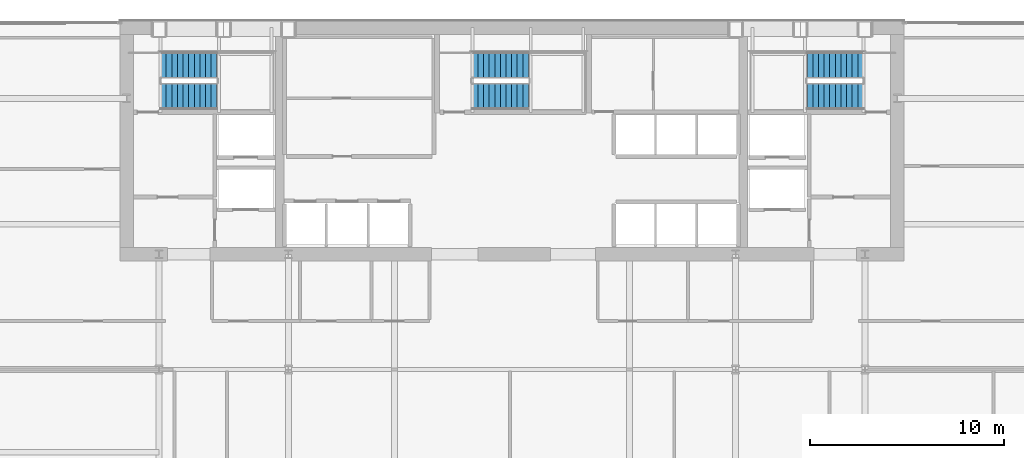
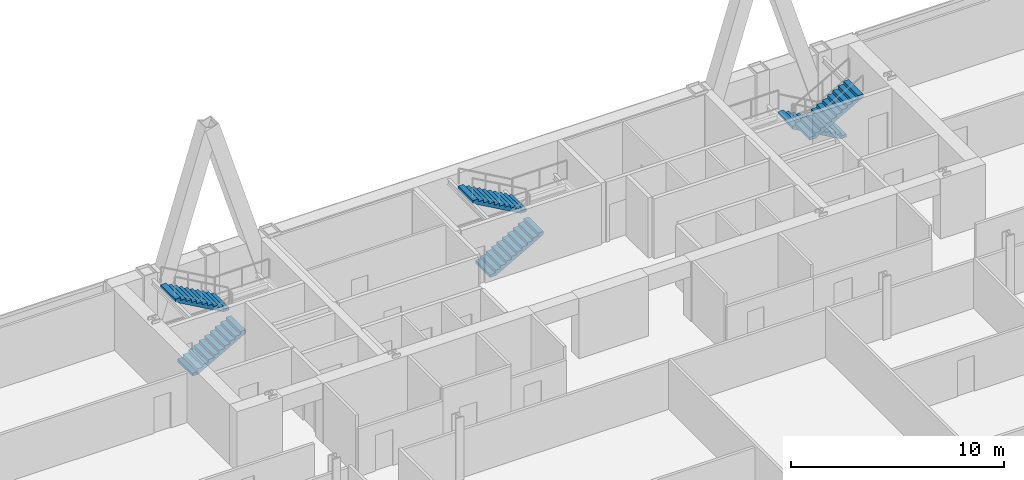
# One storey, part 30 of 33: 6 stair flights, 3 elements without a shape of their own.
"""IFC4 building model written with IfcOpenShell, lengths in metres."""

import ifcopenshell
import ifcopenshell.guid

model = None  # the IFC model being written
_history = None  # IfcOwnerHistory: only IFC2X3 demands one
_inside = {}  # id of a spatial element -> (the spatial element, [elements in it])
_under = {}  # id of a project, library or spatial element -> (it, [spatial elements below it])
_declared = {}  # id of a project -> (the project, [libraries it declares])
_typed = {}  # id of a type object -> (the type object, [elements of that type])
_made_of = {}  # id of a material, layer set ... -> (it, [elements and type objects made of it])


def new_model(schema):
    """Start an empty IFC model of exactly this schema.

    Asked for "IFC4X3", IfcOpenShell would pick the latest addendum, in which some entities
    have other attributes; the version numbers below select the first issue.
    IFC2X3 requires an IfcOwnerHistory on every rooted entity: one is made here for all.
    """
    global model, _history
    if schema == "IFC4X3":
        model = ifcopenshell.file(schema_version=(4, 3, 0, 0))
    else:
        model = ifcopenshell.file(schema=schema)
    _inside.clear()
    _under.clear()
    _declared.clear()
    _typed.clear()
    _made_of.clear()
    _history = None
    if model.schema == "IFC2X3":
        org = make("IfcOrganization", Name="unknown")
        user = make(
            "IfcPersonAndOrganization",
            ThePerson=make("IfcPerson", FamilyName="unknown"),
            TheOrganization=org,
        )
        app = make(
            "IfcApplication",
            ApplicationDeveloper=org,
            Version="unknown",
            ApplicationFullName="unknown",
            ApplicationIdentifier="unknown",
        )
        _history = make(
            "IfcOwnerHistory",
            OwningUser=user,
            OwningApplication=app,
            ChangeAction="ADDED",
            CreationDate=0,
        )
    return model


def make(cls, **values):
    """One entity of the class cls with the attributes given. An attribute that is None is left unset."""
    return model.create_entity(
        cls, **{name: value for name, value in values.items() if value is not None}
    )


def rooted(cls, **values):
    """An entity with a GlobalId (a new one), such as an element, a storey or a relation."""
    return make(cls, GlobalId=ifcopenshell.guid.new(), OwnerHistory=_history, **values)


def si_unit(unit_type, name, prefix=None):
    """IfcSIUnit, for example si_unit("LENGTHUNIT", "METRE", prefix="MILLI")."""
    return make("IfcSIUnit", UnitType=unit_type, Prefix=prefix, Name=name)


def assignment(units):
    """IfcUnitAssignment: the units of a project."""
    return None if units is None else make("IfcUnitAssignment", Units=units)


def point(xyz):
    """IfcCartesianPoint."""
    return None if xyz is None else make("IfcCartesianPoint", Coordinates=xyz)


def direction(xyz):
    """IfcDirection."""
    return None if xyz is None else make("IfcDirection", DirectionRatios=xyz)


def frame(location, z_axis=None, x_axis=None):
    """IfcAxis2Placement3D, a coordinate frame: its origin and axes. An axis left out is left unset."""
    return make(
        "IfcAxis2Placement3D",
        Location=point(location),
        Axis=direction(z_axis),
        RefDirection=direction(x_axis),
    )


def origin():
    """The frame at (0, 0, 0) with its axes left unset."""
    return frame((0.0, 0.0, 0.0))


def place(relative_to, where):
    """IfcLocalPlacement: puts the frame where relative to a parent placement (None: the world)."""
    return make(
        "IfcLocalPlacement", PlacementRelTo=relative_to, RelativePlacement=where
    )


def context(
    kind, dimensions, precision=None, world=None, true_north=None, identifier=None
):
    """IfcGeometricRepresentationContext, for example the 3D "Model" context."""
    return make(
        "IfcGeometricRepresentationContext",
        ContextIdentifier=identifier,
        ContextType=kind,
        CoordinateSpaceDimension=dimensions,
        Precision=precision,
        WorldCoordinateSystem=world,
        TrueNorth=true_north,
    )


def subcontext(parent, identifier, kind, view, scale=None):
    """IfcGeometricRepresentationSubContext, for example "Body" below "Model"."""
    return make(
        "IfcGeometricRepresentationSubContext",
        ContextIdentifier=identifier,
        ContextType=kind,
        ParentContext=parent,
        TargetScale=scale,
        TargetView=view,
    )


def project(units=None, contexts=None):
    """IfcProject with its units and contexts."""
    return rooted(
        "IfcProject",
        Name="project",
        RepresentationContexts=contexts,
        UnitsInContext=assignment(units),
    )


def spatial(cls, under=None, at=None, **own):
    """A site, building, storey or space (cls), placed at a placement, below another one or the project."""
    s = rooted(cls, ObjectPlacement=at, **own)
    if under is not None:
        _under.setdefault(under.id(), (under, []))[1].append(s)
    return s


def polyline(points):
    """IfcPolyline through the points."""
    return make("IfcPolyline", Points=[point(p) for p in points])


def outline(outer, holes=None, kind="AREA"):
    """IfcArbitraryClosedProfileDef: a profile drawn as a closed curve; with holes, ...WithVoids."""
    if holes is None:
        return make("IfcArbitraryClosedProfileDef", ProfileType=kind, OuterCurve=outer)
    return make(
        "IfcArbitraryProfileDefWithVoids",
        ProfileType=kind,
        OuterCurve=outer,
        InnerCurves=holes,
    )


def extrude(swept, where, along, depth):
    """IfcExtrudedAreaSolid: the profile swept, set in the frame where, extruded along a direction by depth."""
    return make(
        "IfcExtrudedAreaSolid",
        SweptArea=swept,
        Position=where,
        ExtrudedDirection=direction(along),
        Depth=depth,
    )


def shape(context_of_items, identifier, shape_type, items):
    """IfcShapeRepresentation: the items that make up one representation, for example the "Body"."""
    return make(
        "IfcShapeRepresentation",
        ContextOfItems=context_of_items,
        RepresentationIdentifier=identifier,
        RepresentationType=shape_type,
        Items=items,
    )


def material(Name=None, Category=None):
    """IfcMaterial."""
    return make("IfcMaterial", Name=Name, Category=Category)


def made_of(thing, what):
    """Note that an element or type object is made of a material, layer set ...; save() writes the relation."""
    if what is not None:
        _made_of.setdefault(what.id(), (what, []))[1].append(thing)
    return thing


def type_object(cls, material=None, **own):
    """A type object (cls), such as IfcWallType, which elements share."""
    return made_of(rooted(cls, **own), material)


def element(
    cls,
    number,
    at=None,
    inside=None,
    cuts=None,
    type_object=None,
    material=None,
    context=None,
    identifier="Body",
    shape_type=None,
    held_by="IfcProductDefinitionShape",
    body=None,
    shapes=None,
    **own,
):
    """One element of the class cls, such as IfcWall. Its Tag is "e" and its number.

    at: its placement. inside: the storey or other place that contains it. cuts: it is an
    opening in that element (IfcRelVoidsElement). A single representation is given by context,
    identifier, shape_type and body (its items); several are given by shapes. held_by: the class
    of the entity that holds the representations. save() writes the other relations.
    """
    e = rooted(cls, Tag="e%d" % number, ObjectPlacement=at, **own)
    if body is not None:
        shapes = [shape(context, identifier, shape_type, body)]
    if shapes is not None:
        e.Representation = make(held_by, Representations=shapes)
    if inside is not None:
        _inside.setdefault(inside.id(), (inside, []))[1].append(e)
    if cuts is not None:
        rooted(
            "IfcRelVoidsElement", RelatingBuildingElement=cuts, RelatedOpeningElement=e
        )
    if type_object is not None:
        _typed.setdefault(type_object.id(), (type_object, []))[1].append(e)
    return made_of(e, material)


def aggregate(whole, parts):
    """IfcRelAggregates: a whole, such as a stair, and the parts it consists of."""
    return rooted("IfcRelAggregates", RelatingObject=whole, RelatedObjects=parts)


def save(model, path):
    """Write the relations noted so far, then the file.

    IfcRelAggregates (storeys below a building ...), IfcRelContainedInSpatialStructure (elements
    in a storey), IfcRelDefinesByType, IfcRelAssociatesMaterial and IfcRelDeclares: one each for
    every whole, place, type object, material and project.
    """
    for whole, parts in _under.values():
        aggregate(whole, parts)
    for where, things in _inside.values():
        rooted(
            "IfcRelContainedInSpatialStructure",
            RelatedElements=things,
            RelatingStructure=where,
        )
    for kind, things in _typed.values():
        rooted("IfcRelDefinesByType", RelatedObjects=things, RelatingType=kind)
    for what, things in _made_of.values():
        rooted("IfcRelAssociatesMaterial", RelatedObjects=things, RelatingMaterial=what)
    for by, libraries in _declared.values():
        rooted("IfcRelDeclares", RelatingContext=by, RelatedDefinitions=libraries)
    model.write(path)


model = new_model("IFC4")

# Units and contexts
model_context = context("Model", 3, precision=1e-05, world=origin(), true_north=direction((0.0, 1.0)))
body_context = subcontext(model_context, "Body", "Model", "MODEL_VIEW")
ifc_project = project(units=[si_unit("LENGTHUNIT", "METRE"), si_unit("AREAUNIT", "SQUARE_METRE"), si_unit("VOLUMEUNIT", "CUBIC_METRE"), si_unit("PLANEANGLEUNIT", "RADIAN"), si_unit("MASSUNIT", "GRAM", prefix="KILO")], contexts=[model_context])

# Site, building, storey
site_placement = place(None, origin())
site = spatial("IfcSite", under=ifc_project, at=site_placement, CompositionType="ELEMENT")
building_placement = place(site_placement, origin())
building = spatial("IfcBuilding", under=site, at=building_placement, Name="Khoronbel Lancet Exchange", CompositionType="ELEMENT")
storey_placement = place(building_placement, frame((0.0, 0.0, 118.199951171875)))
storey = spatial("IfcBuildingStorey", under=building, at=storey_placement, Name="L28", CompositionType="ELEMENT", Elevation=118.199951171875)

# Stair, stair flights
ifc_material = material(Name="Concrete C40/50", Category="concrete")
stair_type = type_object("IfcStairType", Name="STR-CORE150", PredefinedType="HALF_TURN_STAIR", material=ifc_material)
stair_1_placement = place(storey_placement, origin())
stair_1 = element("IfcStair", 1, at=stair_1_placement, inside=storey, type_object=stair_type, Name="L28 Protected Exit Stair ST1", PredefinedType="HALF_TURN_STAIR")
stair_flight_type = type_object("IfcStairFlightType", Name="STF-150", PredefinedType="STRAIGHT", material=ifc_material)
stair_flight_1_placement = place(storey_placement, frame((18.300048828125, 49.81005859375, 0.0), z_axis=(0.0, 0.0, 1.0), x_axis=(1.0, 0.0, 0.0)))
stair_flight_1 = element("IfcStairFlight", 2, at=stair_flight_1_placement, type_object=stair_flight_type, Name="ST1 flight 1", NumberOfRisers=11, NumberOfTreads=10, PredefinedType="STRAIGHT", RiserHeight=0.163636364, TreadLength=0.29, context=body_context, shape_type="SweptSolid", body=[
    extrude(outline(polyline([(0.0, 0.0), (0.0, 0.16357421875), (0.2900390625, 0.16357421875), (0.2900390625, 0.327392578125), (0.580078125, 0.327392578125), (0.580078125, 0.490966796875), (0.8701171875, 0.490966796875), (0.8701171875, 0.654541015625), (1.159912109375, 0.654541015625), (1.159912109375, 0.818115234375), (1.449951171875, 0.818115234375), (1.449951171875, 0.98193359375), (1.739990234375, 0.98193359375), (1.739990234375, 1.1455078125), (2.030029296875, 1.1455078125), (2.030029296875, 1.30908203125), (2.320068359375, 1.30908203125), (2.320068359375, 1.47265625), (2.610107421875, 1.47265625), (2.610107421875, 1.636474609375), (2.89990234375, 1.636474609375), (2.89990234375, 1.800048828125), (2.89990234375, 1.46435546875), (0.304931640625, 0.0), (0.0, 0.0)])), frame((0.0, 0.68994140625, 0.0), z_axis=(0.0, -1.0, 0.0), x_axis=(1.0, 0.0, 0.0)), (0.0, 0.0, 1.0), 1.3798828125),
])
stair_flight_2_placement = place(storey_placement, frame((21.199951171875, 51.409912109375, 1.800048828125), z_axis=(0.0, 0.0, 1.0), x_axis=(-1.0, 0.0, 0.0)))
stair_flight_2 = element("IfcStairFlight", 3, at=stair_flight_2_placement, type_object=stair_flight_type, Name="ST1 flight 2", NumberOfRisers=11, NumberOfTreads=10, PredefinedType="STRAIGHT", RiserHeight=0.163636364, TreadLength=0.29, context=body_context, shape_type="SweptSolid", body=[
    extrude(outline(polyline([(0.0, 0.0), (0.0, 0.16357421875), (0.2900390625, 0.16357421875), (0.2900390625, 0.327392578125), (0.580078125, 0.327392578125), (0.580078125, 0.490966796875), (0.8701171875, 0.490966796875), (0.8701171875, 0.654541015625), (1.159912109375, 0.654541015625), (1.159912109375, 0.818115234375), (1.449951171875, 0.818115234375), (1.449951171875, 0.98193359375), (1.739990234375, 0.98193359375), (1.739990234375, 1.1455078125), (2.030029296875, 1.1455078125), (2.030029296875, 1.30908203125), (2.320068359375, 1.30908203125), (2.320068359375, 1.47265625), (2.610107421875, 1.47265625), (2.610107421875, 1.636474609375), (2.89990234375, 1.636474609375), (2.89990234375, 1.800048828125), (2.89990234375, 1.46435546875), (0.304931640625, 0.0), (0.0, 0.0)])), frame((0.0, 0.68994140625, 0.0), z_axis=(0.0, -1.0, 0.0), x_axis=(1.0, 0.0, 0.0)), (0.0, 0.0, 1.0), 1.3798828125),
])
aggregate(stair_1, [stair_flight_1, stair_flight_2])

stair_2_placement = place(storey_placement, origin())
stair_2 = element("IfcStair", 4, at=stair_2_placement, inside=storey, type_object=stair_type, Name="L28 Protected Exit Stair ST2", PredefinedType="HALF_TURN_STAIR")
stair_flight_3_placement = place(storey_placement, frame((54.60009765625, 51.409912109375, 0.0), z_axis=(0.0, 0.0, 1.0), x_axis=(-1.0, 0.0, 0.0)))
stair_flight_3 = element("IfcStairFlight", 5, at=stair_flight_3_placement, type_object=stair_flight_type, Name="ST2 flight 1", NumberOfRisers=11, NumberOfTreads=10, PredefinedType="STRAIGHT", RiserHeight=0.163636364, TreadLength=0.29, context=body_context, shape_type="SweptSolid", body=[
    extrude(outline(polyline([(0.0, 0.0), (0.0, 0.16357421875), (0.2900390625, 0.16357421875), (0.2900390625, 0.327392578125), (0.580078125, 0.327392578125), (0.580078125, 0.490966796875), (0.8701171875, 0.490966796875), (0.8701171875, 0.654541015625), (1.159912109375, 0.654541015625), (1.159912109375, 0.818115234375), (1.449951171875, 0.818115234375), (1.449951171875, 0.98193359375), (1.739990234375, 0.98193359375), (1.739990234375, 1.1455078125), (2.030029296875, 1.1455078125), (2.030029296875, 1.30908203125), (2.320068359375, 1.30908203125), (2.320068359375, 1.47265625), (2.610107421875, 1.47265625), (2.610107421875, 1.636474609375), (2.89990234375, 1.636474609375), (2.89990234375, 1.800048828125), (2.89990234375, 1.46435546875), (0.304931640625, 0.0), (0.0, 0.0)])), frame((0.0, 0.68994140625, 0.0), z_axis=(0.0, -1.0, 0.0), x_axis=(1.0, 0.0, 0.0)), (0.0, 0.0, 1.0), 1.3798828125),
])
stair_flight_4_placement = place(storey_placement, frame((51.699951171875, 49.81005859375, 1.800048828125), z_axis=(0.0, 0.0, 1.0), x_axis=(1.0, 0.0, 0.0)))
stair_flight_4 = element("IfcStairFlight", 6, at=stair_flight_4_placement, type_object=stair_flight_type, Name="ST2 flight 2", NumberOfRisers=11, NumberOfTreads=10, PredefinedType="STRAIGHT", RiserHeight=0.163636364, TreadLength=0.29, context=body_context, shape_type="SweptSolid", body=[
    extrude(outline(polyline([(0.0, 0.0), (0.0, 0.16357421875), (0.2900390625, 0.16357421875), (0.2900390625, 0.327392578125), (0.580078125, 0.327392578125), (0.580078125, 0.490966796875), (0.8701171875, 0.490966796875), (0.8701171875, 0.654541015625), (1.159912109375, 0.654541015625), (1.159912109375, 0.818115234375), (1.449951171875, 0.818115234375), (1.449951171875, 0.98193359375), (1.739990234375, 0.98193359375), (1.739990234375, 1.1455078125), (2.030029296875, 1.1455078125), (2.030029296875, 1.30908203125), (2.320068359375, 1.30908203125), (2.320068359375, 1.47265625), (2.610107421875, 1.47265625), (2.610107421875, 1.636474609375), (2.89990234375, 1.636474609375), (2.89990234375, 1.800048828125), (2.89990234375, 1.46435546875), (0.304931640625, 0.0), (0.0, 0.0)])), frame((0.0, 0.68994140625, 0.0), z_axis=(0.0, -1.0, 0.0), x_axis=(1.0, 0.0, 0.0)), (0.0, 0.0, 1.0), 1.3798828125),
])
aggregate(stair_2, [stair_flight_3, stair_flight_4])

stair_3_placement = place(storey_placement, origin())
stair_3 = element("IfcStair", 7, at=stair_3_placement, inside=storey, type_object=stair_type, Name="L28 Protected Exit Stair ST3", PredefinedType="HALF_TURN_STAIR")
stair_flight_5_placement = place(storey_placement, frame((34.39990234375, 49.81005859375, 0.0), z_axis=(0.0, 0.0, 1.0), x_axis=(1.0, 0.0, 0.0)))
stair_flight_5 = element("IfcStairFlight", 8, at=stair_flight_5_placement, type_object=stair_flight_type, Name="ST3 flight 1", NumberOfRisers=11, NumberOfTreads=10, PredefinedType="STRAIGHT", RiserHeight=0.163636364, TreadLength=0.29, context=body_context, shape_type="SweptSolid", body=[
    extrude(outline(polyline([(0.0, 0.0), (0.0, 0.16357421875), (0.2900390625, 0.16357421875), (0.2900390625, 0.327392578125), (0.580078125, 0.327392578125), (0.580078125, 0.490966796875), (0.8701171875, 0.490966796875), (0.8701171875, 0.654541015625), (1.159912109375, 0.654541015625), (1.159912109375, 0.818115234375), (1.449951171875, 0.818115234375), (1.449951171875, 0.98193359375), (1.739990234375, 0.98193359375), (1.739990234375, 1.1455078125), (2.030029296875, 1.1455078125), (2.030029296875, 1.30908203125), (2.320068359375, 1.30908203125), (2.320068359375, 1.47265625), (2.610107421875, 1.47265625), (2.610107421875, 1.636474609375), (2.89990234375, 1.636474609375), (2.89990234375, 1.800048828125), (2.89990234375, 1.46435546875), (0.304931640625, 0.0), (0.0, 0.0)])), frame((0.0, 0.68994140625, 0.0), z_axis=(0.0, -1.0, 0.0), x_axis=(1.0, 0.0, 0.0)), (0.0, 0.0, 1.0), 1.3798828125),
])
stair_flight_6_placement = place(storey_placement, frame((37.300048828125, 51.409912109375, 1.800048828125), z_axis=(0.0, 0.0, 1.0), x_axis=(-1.0, 0.0, 0.0)))
stair_flight_6 = element("IfcStairFlight", 9, at=stair_flight_6_placement, type_object=stair_flight_type, Name="ST3 flight 2", NumberOfRisers=11, NumberOfTreads=10, PredefinedType="STRAIGHT", RiserHeight=0.163636364, TreadLength=0.29, context=body_context, shape_type="SweptSolid", body=[
    extrude(outline(polyline([(0.0, 0.0), (0.0, 0.16357421875), (0.2900390625, 0.16357421875), (0.2900390625, 0.327392578125), (0.580078125, 0.327392578125), (0.580078125, 0.490966796875), (0.8701171875, 0.490966796875), (0.8701171875, 0.654541015625), (1.159912109375, 0.654541015625), (1.159912109375, 0.818115234375), (1.449951171875, 0.818115234375), (1.449951171875, 0.98193359375), (1.739990234375, 0.98193359375), (1.739990234375, 1.1455078125), (2.030029296875, 1.1455078125), (2.030029296875, 1.30908203125), (2.320068359375, 1.30908203125), (2.320068359375, 1.47265625), (2.610107421875, 1.47265625), (2.610107421875, 1.636474609375), (2.89990234375, 1.636474609375), (2.89990234375, 1.800048828125), (2.89990234375, 1.46435546875), (0.304931640625, 0.0), (0.0, 0.0)])), frame((0.0, 0.68994140625, 0.0), z_axis=(0.0, -1.0, 0.0), x_axis=(1.0, 0.0, 0.0)), (0.0, 0.0, 1.0), 1.3798828125),
])
aggregate(stair_3, [stair_flight_5, stair_flight_6])

save(model, "model.ifc")
